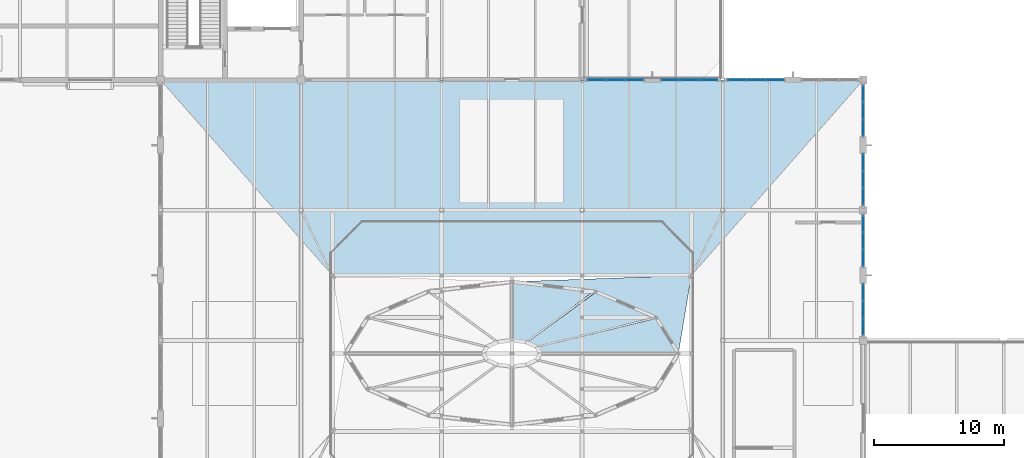
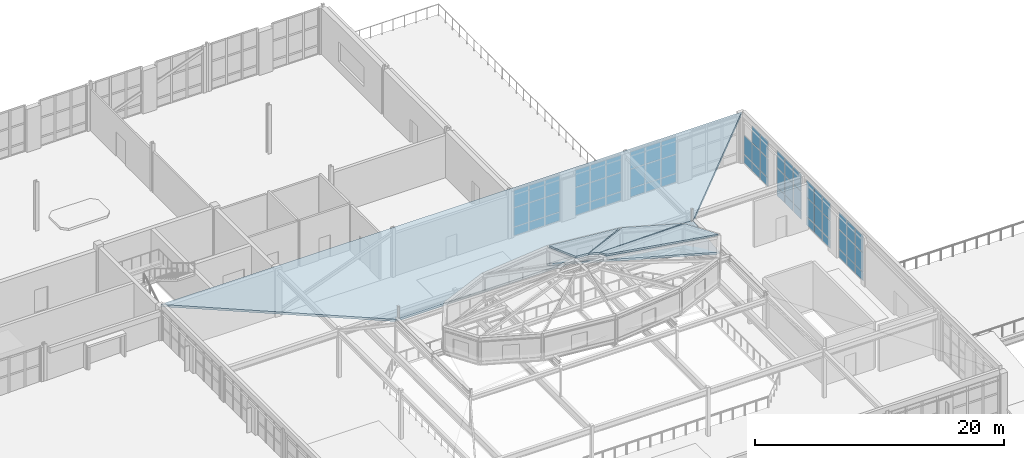
# One storey, part 62 of 86: 62 plates, 5 slabs, 7 elements without a shape of their own.
"""IFC4 building model written with IfcOpenShell, lengths in metres."""

from ifc_helpers import new_model, si_unit, direction, frame, origin, origin_2d, place, context, subcontext, project, spatial, polyline, rectangle, outline, extrude, material, layer, layer_set, type_object, element, aggregate, save


model = new_model("IFC4")

# Units and contexts
model_context = context("Model", 3, precision=1e-05, world=origin(), true_north=direction((0.0, 1.0)))
body_context = subcontext(model_context, "Body", "Model", "MODEL_VIEW")
ifc_project = project(units=[si_unit("LENGTHUNIT", "METRE"), si_unit("AREAUNIT", "SQUARE_METRE"), si_unit("VOLUMEUNIT", "CUBIC_METRE"), si_unit("PLANEANGLEUNIT", "RADIAN"), si_unit("MASSUNIT", "GRAM", prefix="KILO")], contexts=[model_context])

# Site, building, storey
site_placement = place(None, origin())
site = spatial("IfcSite", under=ifc_project, at=site_placement, CompositionType="ELEMENT")
building_placement = place(site_placement, origin())
building = spatial("IfcBuilding", under=site, at=building_placement, Name="Tasgan Crest Museum", CompositionType="ELEMENT")
storey_placement = place(building_placement, frame((0.0, 0.0, 24.0)))
storey = spatial("IfcBuildingStorey", under=building, at=storey_placement, Name="L04", CompositionType="ELEMENT", Elevation=24.0)

# Curtain wall, plates
ifc_material_1 = material(Name="Triple-Glazed Aluminium Curtain Wall", Category="aluminium")
ifc_layer_1 = layer(ifc_material_1, 0.179931640625, Name="CW-DRUM-X-48")
ifc_layer_set_1 = layer_set([ifc_layer_1], Name="Triple-Glazed Aluminium Curtain Wall")
curtain_wall_type_1 = type_object("IfcCurtainWallType", Name="CW-DRUM-X-48", PredefinedType="NOTDEFINED", material=ifc_layer_set_1)
curtain_wall_1_placement = place(storey_placement, origin())
curtain_wall_1 = element("IfcCurtainWall", 1, at=curtain_wall_1_placement, inside=storey, type_object=curtain_wall_type_1, Name="Curtain wall L04 156", PredefinedType="NOTDEFINED")
ifc_material_2 = material(Name="Insulated Spandrel Glass", Category="glass")
ifc_layer_2 = layer(ifc_material_2, 0.052001953125, Name="CW-PANEL-SPANDREL")
ifc_layer_set_2 = layer_set([ifc_layer_2], Name="Insulated Spandrel Glass")
plate_type_1 = type_object("IfcPlateType", Name="CW-PANEL-SPANDREL", PredefinedType="CURTAIN_PANEL", material=ifc_layer_set_2)
plate_1_placement = place(storey_placement, frame((101.208251953125, 82.0, 0.06005859375), z_axis=(0.0, 0.0, 1.0), x_axis=(-1.0, 0.0, 0.0)))
plate_1 = element("IfcPlate", 2, at=plate_1_placement, type_object=plate_type_1, Name="CW03 panel 1.1", PredefinedType="CURTAIN_PANEL", context=body_context, shape_type="SweptSolid", body=[
    extrude(rectangle(XDim=1.373291015625, YDim=0.028076171875, at=origin_2d()), origin(), (0.0, 0.0, 1.0), 0.81005859375),
])
plate_2_placement = place(storey_placement, frame((99.760009765625, 82.0, 0.06005859375), z_axis=(0.0, 0.0, 1.0), x_axis=(-1.0, 0.0, 0.0)))
plate_2 = element("IfcPlate", 3, at=plate_2_placement, type_object=plate_type_1, Name="CW03 panel 2.1", PredefinedType="CURTAIN_PANEL", context=body_context, shape_type="SweptSolid", body=[
    extrude(rectangle(XDim=1.4033203125, YDim=0.028076171875, at=origin_2d()), origin(), (0.0, 0.0, 1.0), 0.81005859375),
])
plate_3_placement = place(storey_placement, frame((98.311767578125, 82.0, 0.06005859375), z_axis=(0.0, 0.0, 1.0), x_axis=(-1.0, 0.0, 0.0)))
plate_3 = element("IfcPlate", 4, at=plate_3_placement, type_object=plate_type_1, Name="CW03 panel 3.1", PredefinedType="CURTAIN_PANEL", context=body_context, shape_type="SweptSolid", body=[
    extrude(rectangle(XDim=1.373291015625, YDim=0.028076171875, at=origin_2d()), origin(), (0.0, 0.0, 1.0), 0.81005859375),
])

curtain_wall_2_placement = place(storey_placement, origin())
curtain_wall_2 = element("IfcCurtainWall", 5, at=curtain_wall_2_placement, inside=storey, type_object=curtain_wall_type_1, Name="Curtain wall L04 157", PredefinedType="NOTDEFINED")
plate_4_placement = place(storey_placement, frame((96.08837890625, 82.0, 0.06005859375), z_axis=(0.0, 0.0, 1.0), x_axis=(-1.0, 0.0, 0.0)))
plate_4 = element("IfcPlate", 6, at=plate_4_placement, type_object=plate_type_1, Name="CW03 panel 1.1", PredefinedType="CURTAIN_PANEL", context=body_context, shape_type="SweptSolid", body=[
    extrude(rectangle(XDim=1.373291015625, YDim=0.028076171875, at=origin_2d()), origin(), (0.0, 0.0, 1.0), 0.81005859375),
])
plate_5_placement = place(storey_placement, frame((94.639892578125, 82.0, 0.06005859375), z_axis=(0.0, 0.0, 1.0), x_axis=(-1.0, 0.0, 0.0)))
plate_5 = element("IfcPlate", 7, at=plate_5_placement, type_object=plate_type_1, Name="CW03 panel 2.1", PredefinedType="CURTAIN_PANEL", context=body_context, shape_type="SweptSolid", body=[
    extrude(rectangle(XDim=1.4033203125, YDim=0.028076171875, at=origin_2d()), origin(), (0.0, 0.0, 1.0), 0.81005859375),
])
plate_6_placement = place(storey_placement, frame((93.191650390625, 82.0, 0.06005859375), z_axis=(0.0, 0.0, 1.0), x_axis=(-1.0, 0.0, 0.0)))
plate_6 = element("IfcPlate", 8, at=plate_6_placement, type_object=plate_type_1, Name="CW03 panel 3.1", PredefinedType="CURTAIN_PANEL", context=body_context, shape_type="SweptSolid", body=[
    extrude(rectangle(XDim=1.373291015625, YDim=0.028076171875, at=origin_2d()), origin(), (0.0, 0.0, 1.0), 0.81005859375),
])

curtain_wall_3_placement = place(storey_placement, origin())
curtain_wall_3 = element("IfcCurtainWall", 9, at=curtain_wall_3_placement, inside=storey, type_object=curtain_wall_type_1, Name="Curtain wall L04 158", PredefinedType="NOTDEFINED")
plate_7_placement = place(storey_placement, frame((90.408447265625, 82.0, 0.06005859375), z_axis=(0.0, 0.0, 1.0), x_axis=(-1.0, 0.0, 0.0)))
plate_7 = element("IfcPlate", 10, at=plate_7_placement, type_object=plate_type_1, Name="CW03 panel 1.1", PredefinedType="CURTAIN_PANEL", context=body_context, shape_type="SweptSolid", body=[
    extrude(rectangle(XDim=1.373291015625, YDim=0.028076171875, at=origin_2d()), origin(), (0.0, 0.0, 1.0), 0.81005859375),
])
plate_8_placement = place(storey_placement, frame((88.9599609375, 82.0, 0.06005859375), z_axis=(0.0, 0.0, 1.0), x_axis=(-1.0, 0.0, 0.0)))
plate_8 = element("IfcPlate", 11, at=plate_8_placement, type_object=plate_type_1, Name="CW03 panel 2.1", PredefinedType="CURTAIN_PANEL", context=body_context, shape_type="SweptSolid", body=[
    extrude(rectangle(XDim=1.4033203125, YDim=0.028076171875, at=origin_2d()), origin(), (0.0, 0.0, 1.0), 0.81005859375),
])
plate_9_placement = place(storey_placement, frame((87.51171875, 82.0, 0.06005859375), z_axis=(0.0, 0.0, 1.0), x_axis=(-1.0, 0.0, 0.0)))
plate_9 = element("IfcPlate", 12, at=plate_9_placement, type_object=plate_type_1, Name="CW03 panel 3.1", PredefinedType="CURTAIN_PANEL", context=body_context, shape_type="SweptSolid", body=[
    extrude(rectangle(XDim=1.373291015625, YDim=0.028076171875, at=origin_2d()), origin(), (0.0, 0.0, 1.0), 0.81005859375),
])

ifc_material_3 = material(Name="Triple-Glazed Aluminium Curtain Wall", Category="aluminium")
ifc_layer_3 = layer(ifc_material_3, 0.179931640625, Name="CW-DRUM-Y10-48")
ifc_layer_set_3 = layer_set([ifc_layer_3], Name="Triple-Glazed Aluminium Curtain Wall")
curtain_wall_type_2 = type_object("IfcCurtainWallType", Name="CW-DRUM-Y10-48", PredefinedType="NOTDEFINED", material=ifc_layer_set_3)
curtain_wall_4_placement = place(storey_placement, origin())
curtain_wall_4 = element("IfcCurtainWall", 13, at=curtain_wall_4_placement, inside=storey, type_object=curtain_wall_type_2, Name="Curtain wall L04 197", PredefinedType="NOTDEFINED")
plate_10_placement = place(storey_placement, frame((108.0, 63.044921875, 0.06005859375), z_axis=(0.0, 0.0, 1.0), x_axis=(0.0, 1.0, 0.0)))
plate_10 = element("IfcPlate", 14, at=plate_10_placement, type_object=plate_type_1, Name="CW04 panel 1.1", PredefinedType="CURTAIN_PANEL", context=body_context, shape_type="SweptSolid", body=[
    extrude(rectangle(XDim=1.239990234375, YDim=0.028076171875, at=origin_2d()), origin(), (0.0, 0.0, 1.0), 0.81005859375),
])
plate_11_placement = place(storey_placement, frame((108.0, 64.360107421875, 0.06005859375), z_axis=(0.0, 0.0, 1.0), x_axis=(0.0, 1.0, 0.0)))
plate_11 = element("IfcPlate", 15, at=plate_11_placement, type_object=plate_type_1, Name="CW04 panel 2.1", PredefinedType="CURTAIN_PANEL", context=body_context, shape_type="SweptSolid", body=[
    extrude(rectangle(XDim=1.27001953125, YDim=0.028076171875, at=origin_2d()), origin(), (0.0, 0.0, 1.0), 0.81005859375),
])
plate_12_placement = place(storey_placement, frame((108.0, 65.675048828125, 0.06005859375), z_axis=(0.0, 0.0, 1.0), x_axis=(0.0, 1.0, 0.0)))
plate_12 = element("IfcPlate", 16, at=plate_12_placement, type_object=plate_type_1, Name="CW04 panel 3.1", PredefinedType="CURTAIN_PANEL", context=body_context, shape_type="SweptSolid", body=[
    extrude(rectangle(XDim=1.239990234375, YDim=0.028076171875, at=origin_2d()), origin(), (0.0, 0.0, 1.0), 0.81005859375),
])

curtain_wall_5_placement = place(storey_placement, origin())
curtain_wall_5 = element("IfcCurtainWall", 17, at=curtain_wall_5_placement, inside=storey, type_object=curtain_wall_type_2, Name="Curtain wall L04 198", PredefinedType="NOTDEFINED")
plate_13_placement = place(storey_placement, frame((108.0, 68.324951171875, 0.06005859375), z_axis=(0.0, 0.0, 1.0), x_axis=(0.0, 1.0, 0.0)))
plate_13 = element("IfcPlate", 18, at=plate_13_placement, type_object=plate_type_1, Name="CW04 panel 1.1", PredefinedType="CURTAIN_PANEL", context=body_context, shape_type="SweptSolid", body=[
    extrude(rectangle(XDim=1.239990234375, YDim=0.028076171875, at=origin_2d()), origin(), (0.0, 0.0, 1.0), 0.81005859375),
])
plate_14_placement = place(storey_placement, frame((108.0, 69.639892578125, 0.06005859375), z_axis=(0.0, 0.0, 1.0), x_axis=(0.0, 1.0, 0.0)))
plate_14 = element("IfcPlate", 19, at=plate_14_placement, type_object=plate_type_1, Name="CW04 panel 2.1", PredefinedType="CURTAIN_PANEL", context=body_context, shape_type="SweptSolid", body=[
    extrude(rectangle(XDim=1.27001953125, YDim=0.028076171875, at=origin_2d()), origin(), (0.0, 0.0, 1.0), 0.81005859375),
])
plate_15_placement = place(storey_placement, frame((108.0, 70.955078125, 0.06005859375), z_axis=(0.0, 0.0, 1.0), x_axis=(0.0, 1.0, 0.0)))
plate_15 = element("IfcPlate", 20, at=plate_15_placement, type_object=plate_type_1, Name="CW04 panel 3.1", PredefinedType="CURTAIN_PANEL", context=body_context, shape_type="SweptSolid", body=[
    extrude(rectangle(XDim=1.239990234375, YDim=0.028076171875, at=origin_2d()), origin(), (0.0, 0.0, 1.0), 0.81005859375),
])

curtain_wall_6_placement = place(storey_placement, origin())
curtain_wall_6 = element("IfcCurtainWall", 21, at=curtain_wall_6_placement, inside=storey, type_object=curtain_wall_type_2, Name="Curtain wall L04 199", PredefinedType="NOTDEFINED")
plate_16_placement = place(storey_placement, frame((108.0, 73.044921875, 0.06005859375), z_axis=(0.0, 0.0, 1.0), x_axis=(0.0, 1.0, 0.0)))
plate_16 = element("IfcPlate", 22, at=plate_16_placement, type_object=plate_type_1, Name="CW04 panel 1.1", PredefinedType="CURTAIN_PANEL", context=body_context, shape_type="SweptSolid", body=[
    extrude(rectangle(XDim=1.239990234375, YDim=0.028076171875, at=origin_2d()), origin(), (0.0, 0.0, 1.0), 0.81005859375),
])
plate_17_placement = place(storey_placement, frame((108.0, 74.360107421875, 0.06005859375), z_axis=(0.0, 0.0, 1.0), x_axis=(0.0, 1.0, 0.0)))
plate_17 = element("IfcPlate", 23, at=plate_17_placement, type_object=plate_type_1, Name="CW04 panel 2.1", PredefinedType="CURTAIN_PANEL", context=body_context, shape_type="SweptSolid", body=[
    extrude(rectangle(XDim=1.27001953125, YDim=0.028076171875, at=origin_2d()), origin(), (0.0, 0.0, 1.0), 0.81005859375),
])
plate_18_placement = place(storey_placement, frame((108.0, 75.675048828125, 0.06005859375), z_axis=(0.0, 0.0, 1.0), x_axis=(0.0, 1.0, 0.0)))
plate_18 = element("IfcPlate", 24, at=plate_18_placement, type_object=plate_type_1, Name="CW04 panel 3.1", PredefinedType="CURTAIN_PANEL", context=body_context, shape_type="SweptSolid", body=[
    extrude(rectangle(XDim=1.239990234375, YDim=0.028076171875, at=origin_2d()), origin(), (0.0, 0.0, 1.0), 0.81005859375),
])

curtain_wall_7_placement = place(storey_placement, origin())
curtain_wall_7 = element("IfcCurtainWall", 25, at=curtain_wall_7_placement, inside=storey, type_object=curtain_wall_type_2, Name="Curtain wall L04 200", PredefinedType="NOTDEFINED")
plate_19_placement = place(storey_placement, frame((108.0, 78.324951171875, 0.06005859375), z_axis=(0.0, 0.0, 1.0), x_axis=(0.0, 1.0, 0.0)))
plate_19 = element("IfcPlate", 26, at=plate_19_placement, type_object=plate_type_1, Name="CW04 panel 1.1", PredefinedType="CURTAIN_PANEL", context=body_context, shape_type="SweptSolid", body=[
    extrude(rectangle(XDim=1.239990234375, YDim=0.028076171875, at=origin_2d()), origin(), (0.0, 0.0, 1.0), 0.81005859375),
])
plate_20_placement = place(storey_placement, frame((108.0, 79.639892578125, 0.06005859375), z_axis=(0.0, 0.0, 1.0), x_axis=(0.0, 1.0, 0.0)))
plate_20 = element("IfcPlate", 27, at=plate_20_placement, type_object=plate_type_1, Name="CW04 panel 2.1", PredefinedType="CURTAIN_PANEL", context=body_context, shape_type="SweptSolid", body=[
    extrude(rectangle(XDim=1.27001953125, YDim=0.028076171875, at=origin_2d()), origin(), (0.0, 0.0, 1.0), 0.81005859375),
])
plate_21_placement = place(storey_placement, frame((108.0, 80.955078125, 0.06005859375), z_axis=(0.0, 0.0, 1.0), x_axis=(0.0, 1.0, 0.0)))
plate_21 = element("IfcPlate", 28, at=plate_21_placement, type_object=plate_type_1, Name="CW04 panel 3.1", PredefinedType="CURTAIN_PANEL", context=body_context, shape_type="SweptSolid", body=[
    extrude(rectangle(XDim=1.239990234375, YDim=0.028076171875, at=origin_2d()), origin(), (0.0, 0.0, 1.0), 0.81005859375),
])

# Plate
ifc_material_4 = material(Name="Low-E Triple Glazing", Category="glass")
ifc_layer_4 = layer(ifc_material_4, 0.0439453125, Name="CW-PANEL-TRIPLE")
ifc_layer_set_4 = layer_set([ifc_layer_4], Name="Low-E Triple Glazing")
plate_type_2 = type_object("IfcPlateType", Name="CW-PANEL-TRIPLE", PredefinedType="CURTAIN_PANEL", material=ifc_layer_set_4)
plate_22_placement = place(storey_placement, frame((101.208251953125, 82.0, 0.93017578125), z_axis=(0.0, 0.0, 1.0), x_axis=(-1.0, 0.0, 0.0)))
plate_22 = element("IfcPlate", 29, at=plate_22_placement, type_object=plate_type_2, Name="CW03 panel 1.2", PredefinedType="CURTAIN_PANEL", context=body_context, shape_type="SweptSolid", body=[
    extrude(rectangle(XDim=1.373291015625, YDim=0.028076171875, at=origin_2d()), origin(), (0.0, 0.0, 1.0), 1.840087890625),
])

plate_23_placement = place(storey_placement, frame((101.208251953125, 82.0, 2.830078125), z_axis=(0.0, 0.0, 1.0), x_axis=(-1.0, 0.0, 0.0)))
plate_23 = element("IfcPlate", 30, at=plate_23_placement, type_object=plate_type_2, Name="CW03 panel 1.3", PredefinedType="CURTAIN_PANEL", context=body_context, shape_type="SweptSolid", body=[
    extrude(rectangle(XDim=1.373291015625, YDim=0.028076171875, at=origin_2d()), origin(), (0.0, 0.0, 1.0), 1.669921875),
])

plate_24_placement = place(storey_placement, frame((99.760009765625, 82.0, 0.93017578125), z_axis=(0.0, 0.0, 1.0), x_axis=(-1.0, 0.0, 0.0)))
plate_24 = element("IfcPlate", 31, at=plate_24_placement, type_object=plate_type_2, Name="CW03 panel 2.2", PredefinedType="CURTAIN_PANEL", context=body_context, shape_type="SweptSolid", body=[
    extrude(rectangle(XDim=1.4033203125, YDim=0.028076171875, at=origin_2d()), origin(), (0.0, 0.0, 1.0), 1.840087890625),
])

plate_25_placement = place(storey_placement, frame((99.760009765625, 82.0, 2.830078125), z_axis=(0.0, 0.0, 1.0), x_axis=(-1.0, 0.0, 0.0)))
plate_25 = element("IfcPlate", 32, at=plate_25_placement, type_object=plate_type_2, Name="CW03 panel 2.3", PredefinedType="CURTAIN_PANEL", context=body_context, shape_type="SweptSolid", body=[
    extrude(rectangle(XDim=1.4033203125, YDim=0.028076171875, at=origin_2d()), origin(), (0.0, 0.0, 1.0), 1.669921875),
])

plate_26_placement = place(storey_placement, frame((98.311767578125, 82.0, 0.93017578125), z_axis=(0.0, 0.0, 1.0), x_axis=(-1.0, 0.0, 0.0)))
plate_26 = element("IfcPlate", 33, at=plate_26_placement, type_object=plate_type_2, Name="CW03 panel 3.2", PredefinedType="CURTAIN_PANEL", context=body_context, shape_type="SweptSolid", body=[
    extrude(rectangle(XDim=1.373291015625, YDim=0.028076171875, at=origin_2d()), origin(), (0.0, 0.0, 1.0), 1.840087890625),
])

plate_27_placement = place(storey_placement, frame((98.311767578125, 82.0, 2.830078125), z_axis=(0.0, 0.0, 1.0), x_axis=(-1.0, 0.0, 0.0)))
plate_27 = element("IfcPlate", 34, at=plate_27_placement, type_object=plate_type_2, Name="CW03 panel 3.3", PredefinedType="CURTAIN_PANEL", context=body_context, shape_type="SweptSolid", body=[
    extrude(rectangle(XDim=1.373291015625, YDim=0.028076171875, at=origin_2d()), origin(), (0.0, 0.0, 1.0), 1.669921875),
])

aggregate(curtain_wall_1, [plate_1, plate_22, plate_23, plate_2, plate_24, plate_25, plate_3, plate_26, plate_27])

plate_28_placement = place(storey_placement, frame((96.08837890625, 82.0, 0.93017578125), z_axis=(0.0, 0.0, 1.0), x_axis=(-1.0, 0.0, 0.0)))
plate_28 = element("IfcPlate", 35, at=plate_28_placement, type_object=plate_type_2, Name="CW03 panel 1.2", PredefinedType="CURTAIN_PANEL", context=body_context, shape_type="SweptSolid", body=[
    extrude(rectangle(XDim=1.373291015625, YDim=0.028076171875, at=origin_2d()), origin(), (0.0, 0.0, 1.0), 1.840087890625),
])

plate_29_placement = place(storey_placement, frame((96.08837890625, 82.0, 2.830078125), z_axis=(0.0, 0.0, 1.0), x_axis=(-1.0, 0.0, 0.0)))
plate_29 = element("IfcPlate", 36, at=plate_29_placement, type_object=plate_type_2, Name="CW03 panel 1.3", PredefinedType="CURTAIN_PANEL", context=body_context, shape_type="SweptSolid", body=[
    extrude(rectangle(XDim=1.373291015625, YDim=0.028076171875, at=origin_2d()), origin(), (0.0, 0.0, 1.0), 1.669921875),
])

plate_30_placement = place(storey_placement, frame((94.639892578125, 82.0, 0.93017578125), z_axis=(0.0, 0.0, 1.0), x_axis=(-1.0, 0.0, 0.0)))
plate_30 = element("IfcPlate", 37, at=plate_30_placement, type_object=plate_type_2, Name="CW03 panel 2.2", PredefinedType="CURTAIN_PANEL", context=body_context, shape_type="SweptSolid", body=[
    extrude(rectangle(XDim=1.4033203125, YDim=0.028076171875, at=origin_2d()), origin(), (0.0, 0.0, 1.0), 1.840087890625),
])

plate_31_placement = place(storey_placement, frame((94.639892578125, 82.0, 2.830078125), z_axis=(0.0, 0.0, 1.0), x_axis=(-1.0, 0.0, 0.0)))
plate_31 = element("IfcPlate", 38, at=plate_31_placement, type_object=plate_type_2, Name="CW03 panel 2.3", PredefinedType="CURTAIN_PANEL", context=body_context, shape_type="SweptSolid", body=[
    extrude(rectangle(XDim=1.4033203125, YDim=0.028076171875, at=origin_2d()), origin(), (0.0, 0.0, 1.0), 1.669921875),
])

plate_32_placement = place(storey_placement, frame((93.191650390625, 82.0, 0.93017578125), z_axis=(0.0, 0.0, 1.0), x_axis=(-1.0, 0.0, 0.0)))
plate_32 = element("IfcPlate", 39, at=plate_32_placement, type_object=plate_type_2, Name="CW03 panel 3.2", PredefinedType="CURTAIN_PANEL", context=body_context, shape_type="SweptSolid", body=[
    extrude(rectangle(XDim=1.373291015625, YDim=0.028076171875, at=origin_2d()), origin(), (0.0, 0.0, 1.0), 1.840087890625),
])

plate_33_placement = place(storey_placement, frame((93.191650390625, 82.0, 2.830078125), z_axis=(0.0, 0.0, 1.0), x_axis=(-1.0, 0.0, 0.0)))
plate_33 = element("IfcPlate", 40, at=plate_33_placement, type_object=plate_type_2, Name="CW03 panel 3.3", PredefinedType="CURTAIN_PANEL", context=body_context, shape_type="SweptSolid", body=[
    extrude(rectangle(XDim=1.373291015625, YDim=0.028076171875, at=origin_2d()), origin(), (0.0, 0.0, 1.0), 1.669921875),
])

aggregate(curtain_wall_2, [plate_4, plate_28, plate_29, plate_5, plate_30, plate_31, plate_6, plate_32, plate_33])

plate_34_placement = place(storey_placement, frame((90.408447265625, 82.0, 0.93017578125), z_axis=(0.0, 0.0, 1.0), x_axis=(-1.0, 0.0, 0.0)))
plate_34 = element("IfcPlate", 41, at=plate_34_placement, type_object=plate_type_2, Name="CW03 panel 1.2", PredefinedType="CURTAIN_PANEL", context=body_context, shape_type="SweptSolid", body=[
    extrude(rectangle(XDim=1.373291015625, YDim=0.028076171875, at=origin_2d()), origin(), (0.0, 0.0, 1.0), 1.840087890625),
])

plate_35_placement = place(storey_placement, frame((90.408447265625, 82.0, 2.830078125), z_axis=(0.0, 0.0, 1.0), x_axis=(-1.0, 0.0, 0.0)))
plate_35 = element("IfcPlate", 42, at=plate_35_placement, type_object=plate_type_2, Name="CW03 panel 1.3", PredefinedType="CURTAIN_PANEL", context=body_context, shape_type="SweptSolid", body=[
    extrude(rectangle(XDim=1.373291015625, YDim=0.028076171875, at=origin_2d()), origin(), (0.0, 0.0, 1.0), 1.669921875),
])

plate_36_placement = place(storey_placement, frame((88.9599609375, 82.0, 0.93017578125), z_axis=(0.0, 0.0, 1.0), x_axis=(-1.0, 0.0, 0.0)))
plate_36 = element("IfcPlate", 43, at=plate_36_placement, type_object=plate_type_2, Name="CW03 panel 2.2", PredefinedType="CURTAIN_PANEL", context=body_context, shape_type="SweptSolid", body=[
    extrude(rectangle(XDim=1.4033203125, YDim=0.028076171875, at=origin_2d()), origin(), (0.0, 0.0, 1.0), 1.840087890625),
])

plate_37_placement = place(storey_placement, frame((88.9599609375, 82.0, 2.830078125), z_axis=(0.0, 0.0, 1.0), x_axis=(-1.0, 0.0, 0.0)))
plate_37 = element("IfcPlate", 44, at=plate_37_placement, type_object=plate_type_2, Name="CW03 panel 2.3", PredefinedType="CURTAIN_PANEL", context=body_context, shape_type="SweptSolid", body=[
    extrude(rectangle(XDim=1.4033203125, YDim=0.028076171875, at=origin_2d()), origin(), (0.0, 0.0, 1.0), 1.669921875),
])

plate_38_placement = place(storey_placement, frame((87.51171875, 82.0, 0.93017578125), z_axis=(0.0, 0.0, 1.0), x_axis=(-1.0, 0.0, 0.0)))
plate_38 = element("IfcPlate", 45, at=plate_38_placement, type_object=plate_type_2, Name="CW03 panel 3.2", PredefinedType="CURTAIN_PANEL", context=body_context, shape_type="SweptSolid", body=[
    extrude(rectangle(XDim=1.373291015625, YDim=0.028076171875, at=origin_2d()), origin(), (0.0, 0.0, 1.0), 1.840087890625),
])

plate_39_placement = place(storey_placement, frame((87.51171875, 82.0, 2.830078125), z_axis=(0.0, 0.0, 1.0), x_axis=(-1.0, 0.0, 0.0)))
plate_39 = element("IfcPlate", 46, at=plate_39_placement, type_object=plate_type_2, Name="CW03 panel 3.3", PredefinedType="CURTAIN_PANEL", context=body_context, shape_type="SweptSolid", body=[
    extrude(rectangle(XDim=1.373291015625, YDim=0.028076171875, at=origin_2d()), origin(), (0.0, 0.0, 1.0), 1.669921875),
])

aggregate(curtain_wall_3, [plate_7, plate_34, plate_35, plate_8, plate_36, plate_37, plate_9, plate_38, plate_39])

plate_40_placement = place(storey_placement, frame((108.0, 63.044921875, 0.93017578125), z_axis=(0.0, 0.0, 1.0), x_axis=(0.0, 1.0, 0.0)))
plate_40 = element("IfcPlate", 47, at=plate_40_placement, type_object=plate_type_2, Name="CW04 panel 1.2", PredefinedType="CURTAIN_PANEL", context=body_context, shape_type="SweptSolid", body=[
    extrude(rectangle(XDim=1.239990234375, YDim=0.028076171875, at=origin_2d()), origin(), (0.0, 0.0, 1.0), 1.840087890625),
])

plate_41_placement = place(storey_placement, frame((108.0, 63.044921875, 2.830078125), z_axis=(0.0, 0.0, 1.0), x_axis=(0.0, 1.0, 0.0)))
plate_41 = element("IfcPlate", 48, at=plate_41_placement, type_object=plate_type_2, Name="CW04 panel 1.3", PredefinedType="CURTAIN_PANEL", context=body_context, shape_type="SweptSolid", body=[
    extrude(rectangle(XDim=1.239990234375, YDim=0.028076171875, at=origin_2d()), origin(), (0.0, 0.0, 1.0), 1.669921875),
])

plate_42_placement = place(storey_placement, frame((108.0, 64.360107421875, 0.93017578125), z_axis=(0.0, 0.0, 1.0), x_axis=(0.0, 1.0, 0.0)))
plate_42 = element("IfcPlate", 49, at=plate_42_placement, type_object=plate_type_2, Name="CW04 panel 2.2", PredefinedType="CURTAIN_PANEL", context=body_context, shape_type="SweptSolid", body=[
    extrude(rectangle(XDim=1.27001953125, YDim=0.028076171875, at=origin_2d()), origin(), (0.0, 0.0, 1.0), 1.840087890625),
])

plate_43_placement = place(storey_placement, frame((108.0, 64.360107421875, 2.830078125), z_axis=(0.0, 0.0, 1.0), x_axis=(0.0, 1.0, 0.0)))
plate_43 = element("IfcPlate", 50, at=plate_43_placement, type_object=plate_type_2, Name="CW04 panel 2.3", PredefinedType="CURTAIN_PANEL", context=body_context, shape_type="SweptSolid", body=[
    extrude(rectangle(XDim=1.27001953125, YDim=0.028076171875, at=origin_2d()), origin(), (0.0, 0.0, 1.0), 1.669921875),
])

plate_44_placement = place(storey_placement, frame((108.0, 65.675048828125, 0.93017578125), z_axis=(0.0, 0.0, 1.0), x_axis=(0.0, 1.0, 0.0)))
plate_44 = element("IfcPlate", 51, at=plate_44_placement, type_object=plate_type_2, Name="CW04 panel 3.2", PredefinedType="CURTAIN_PANEL", context=body_context, shape_type="SweptSolid", body=[
    extrude(rectangle(XDim=1.239990234375, YDim=0.028076171875, at=origin_2d()), origin(), (0.0, 0.0, 1.0), 1.840087890625),
])

plate_45_placement = place(storey_placement, frame((108.0, 65.675048828125, 2.830078125), z_axis=(0.0, 0.0, 1.0), x_axis=(0.0, 1.0, 0.0)))
plate_45 = element("IfcPlate", 52, at=plate_45_placement, type_object=plate_type_2, Name="CW04 panel 3.3", PredefinedType="CURTAIN_PANEL", context=body_context, shape_type="SweptSolid", body=[
    extrude(rectangle(XDim=1.239990234375, YDim=0.028076171875, at=origin_2d()), origin(), (0.0, 0.0, 1.0), 1.669921875),
])

aggregate(curtain_wall_4, [plate_10, plate_40, plate_41, plate_11, plate_42, plate_43, plate_12, plate_44, plate_45])

plate_46_placement = place(storey_placement, frame((108.0, 68.324951171875, 0.93017578125), z_axis=(0.0, 0.0, 1.0), x_axis=(0.0, 1.0, 0.0)))
plate_46 = element("IfcPlate", 53, at=plate_46_placement, type_object=plate_type_2, Name="CW04 panel 1.2", PredefinedType="CURTAIN_PANEL", context=body_context, shape_type="SweptSolid", body=[
    extrude(rectangle(XDim=1.239990234375, YDim=0.028076171875, at=origin_2d()), origin(), (0.0, 0.0, 1.0), 1.840087890625),
])

plate_47_placement = place(storey_placement, frame((108.0, 68.324951171875, 2.830078125), z_axis=(0.0, 0.0, 1.0), x_axis=(0.0, 1.0, 0.0)))
plate_47 = element("IfcPlate", 54, at=plate_47_placement, type_object=plate_type_2, Name="CW04 panel 1.3", PredefinedType="CURTAIN_PANEL", context=body_context, shape_type="SweptSolid", body=[
    extrude(rectangle(XDim=1.239990234375, YDim=0.028076171875, at=origin_2d()), origin(), (0.0, 0.0, 1.0), 1.669921875),
])

plate_48_placement = place(storey_placement, frame((108.0, 69.639892578125, 0.93017578125), z_axis=(0.0, 0.0, 1.0), x_axis=(0.0, 1.0, 0.0)))
plate_48 = element("IfcPlate", 55, at=plate_48_placement, type_object=plate_type_2, Name="CW04 panel 2.2", PredefinedType="CURTAIN_PANEL", context=body_context, shape_type="SweptSolid", body=[
    extrude(rectangle(XDim=1.27001953125, YDim=0.028076171875, at=origin_2d()), origin(), (0.0, 0.0, 1.0), 1.840087890625),
])

plate_49_placement = place(storey_placement, frame((108.0, 69.639892578125, 2.830078125), z_axis=(0.0, 0.0, 1.0), x_axis=(0.0, 1.0, 0.0)))
plate_49 = element("IfcPlate", 56, at=plate_49_placement, type_object=plate_type_2, Name="CW04 panel 2.3", PredefinedType="CURTAIN_PANEL", context=body_context, shape_type="SweptSolid", body=[
    extrude(rectangle(XDim=1.27001953125, YDim=0.028076171875, at=origin_2d()), origin(), (0.0, 0.0, 1.0), 1.669921875),
])

plate_50_placement = place(storey_placement, frame((108.0, 70.955078125, 0.93017578125), z_axis=(0.0, 0.0, 1.0), x_axis=(0.0, 1.0, 0.0)))
plate_50 = element("IfcPlate", 57, at=plate_50_placement, type_object=plate_type_2, Name="CW04 panel 3.2", PredefinedType="CURTAIN_PANEL", context=body_context, shape_type="SweptSolid", body=[
    extrude(rectangle(XDim=1.239990234375, YDim=0.028076171875, at=origin_2d()), origin(), (0.0, 0.0, 1.0), 1.840087890625),
])

plate_51_placement = place(storey_placement, frame((108.0, 70.955078125, 2.830078125), z_axis=(0.0, 0.0, 1.0), x_axis=(0.0, 1.0, 0.0)))
plate_51 = element("IfcPlate", 58, at=plate_51_placement, type_object=plate_type_2, Name="CW04 panel 3.3", PredefinedType="CURTAIN_PANEL", context=body_context, shape_type="SweptSolid", body=[
    extrude(rectangle(XDim=1.239990234375, YDim=0.028076171875, at=origin_2d()), origin(), (0.0, 0.0, 1.0), 1.669921875),
])

aggregate(curtain_wall_5, [plate_13, plate_46, plate_47, plate_14, plate_48, plate_49, plate_15, plate_50, plate_51])

plate_52_placement = place(storey_placement, frame((108.0, 73.044921875, 0.93017578125), z_axis=(0.0, 0.0, 1.0), x_axis=(0.0, 1.0, 0.0)))
plate_52 = element("IfcPlate", 59, at=plate_52_placement, type_object=plate_type_2, Name="CW04 panel 1.2", PredefinedType="CURTAIN_PANEL", context=body_context, shape_type="SweptSolid", body=[
    extrude(rectangle(XDim=1.239990234375, YDim=0.028076171875, at=origin_2d()), origin(), (0.0, 0.0, 1.0), 1.840087890625),
])

plate_53_placement = place(storey_placement, frame((108.0, 73.044921875, 2.830078125), z_axis=(0.0, 0.0, 1.0), x_axis=(0.0, 1.0, 0.0)))
plate_53 = element("IfcPlate", 60, at=plate_53_placement, type_object=plate_type_2, Name="CW04 panel 1.3", PredefinedType="CURTAIN_PANEL", context=body_context, shape_type="SweptSolid", body=[
    extrude(rectangle(XDim=1.239990234375, YDim=0.028076171875, at=origin_2d()), origin(), (0.0, 0.0, 1.0), 1.669921875),
])

plate_54_placement = place(storey_placement, frame((108.0, 74.360107421875, 0.93017578125), z_axis=(0.0, 0.0, 1.0), x_axis=(0.0, 1.0, 0.0)))
plate_54 = element("IfcPlate", 61, at=plate_54_placement, type_object=plate_type_2, Name="CW04 panel 2.2", PredefinedType="CURTAIN_PANEL", context=body_context, shape_type="SweptSolid", body=[
    extrude(rectangle(XDim=1.27001953125, YDim=0.028076171875, at=origin_2d()), origin(), (0.0, 0.0, 1.0), 1.840087890625),
])

plate_55_placement = place(storey_placement, frame((108.0, 74.360107421875, 2.830078125), z_axis=(0.0, 0.0, 1.0), x_axis=(0.0, 1.0, 0.0)))
plate_55 = element("IfcPlate", 62, at=plate_55_placement, type_object=plate_type_2, Name="CW04 panel 2.3", PredefinedType="CURTAIN_PANEL", context=body_context, shape_type="SweptSolid", body=[
    extrude(rectangle(XDim=1.27001953125, YDim=0.028076171875, at=origin_2d()), origin(), (0.0, 0.0, 1.0), 1.669921875),
])

plate_56_placement = place(storey_placement, frame((108.0, 75.675048828125, 0.93017578125), z_axis=(0.0, 0.0, 1.0), x_axis=(0.0, 1.0, 0.0)))
plate_56 = element("IfcPlate", 63, at=plate_56_placement, type_object=plate_type_2, Name="CW04 panel 3.2", PredefinedType="CURTAIN_PANEL", context=body_context, shape_type="SweptSolid", body=[
    extrude(rectangle(XDim=1.239990234375, YDim=0.028076171875, at=origin_2d()), origin(), (0.0, 0.0, 1.0), 1.840087890625),
])

plate_57_placement = place(storey_placement, frame((108.0, 75.675048828125, 2.830078125), z_axis=(0.0, 0.0, 1.0), x_axis=(0.0, 1.0, 0.0)))
plate_57 = element("IfcPlate", 64, at=plate_57_placement, type_object=plate_type_2, Name="CW04 panel 3.3", PredefinedType="CURTAIN_PANEL", context=body_context, shape_type="SweptSolid", body=[
    extrude(rectangle(XDim=1.239990234375, YDim=0.028076171875, at=origin_2d()), origin(), (0.0, 0.0, 1.0), 1.669921875),
])

aggregate(curtain_wall_6, [plate_16, plate_52, plate_53, plate_17, plate_54, plate_55, plate_18, plate_56, plate_57])

plate_58_placement = place(storey_placement, frame((108.0, 78.324951171875, 0.93017578125), z_axis=(0.0, 0.0, 1.0), x_axis=(0.0, 1.0, 0.0)))
plate_58 = element("IfcPlate", 65, at=plate_58_placement, type_object=plate_type_2, Name="CW04 panel 1.2", PredefinedType="CURTAIN_PANEL", context=body_context, shape_type="SweptSolid", body=[
    extrude(rectangle(XDim=1.239990234375, YDim=0.028076171875, at=origin_2d()), origin(), (0.0, 0.0, 1.0), 1.840087890625),
])

plate_59_placement = place(storey_placement, frame((108.0, 78.324951171875, 2.830078125), z_axis=(0.0, 0.0, 1.0), x_axis=(0.0, 1.0, 0.0)))
plate_59 = element("IfcPlate", 66, at=plate_59_placement, type_object=plate_type_2, Name="CW04 panel 1.3", PredefinedType="CURTAIN_PANEL", context=body_context, shape_type="SweptSolid", body=[
    extrude(rectangle(XDim=1.239990234375, YDim=0.028076171875, at=origin_2d()), origin(), (0.0, 0.0, 1.0), 1.669921875),
])

plate_60_placement = place(storey_placement, frame((108.0, 79.639892578125, 0.93017578125), z_axis=(0.0, 0.0, 1.0), x_axis=(0.0, 1.0, 0.0)))
plate_60 = element("IfcPlate", 67, at=plate_60_placement, type_object=plate_type_2, Name="CW04 panel 2.2", PredefinedType="CURTAIN_PANEL", context=body_context, shape_type="SweptSolid", body=[
    extrude(rectangle(XDim=1.27001953125, YDim=0.028076171875, at=origin_2d()), origin(), (0.0, 0.0, 1.0), 1.840087890625),
])

plate_61_placement = place(storey_placement, frame((108.0, 79.639892578125, 2.830078125), z_axis=(0.0, 0.0, 1.0), x_axis=(0.0, 1.0, 0.0)))
plate_61 = element("IfcPlate", 68, at=plate_61_placement, type_object=plate_type_2, Name="CW04 panel 2.3", PredefinedType="CURTAIN_PANEL", context=body_context, shape_type="SweptSolid", body=[
    extrude(rectangle(XDim=1.27001953125, YDim=0.028076171875, at=origin_2d()), origin(), (0.0, 0.0, 1.0), 1.669921875),
])

plate_62_placement = place(storey_placement, frame((108.0, 80.955078125, 0.93017578125), z_axis=(0.0, 0.0, 1.0), x_axis=(0.0, 1.0, 0.0)))
plate_62 = element("IfcPlate", 69, at=plate_62_placement, type_object=plate_type_2, Name="CW04 panel 3.2", PredefinedType="CURTAIN_PANEL", context=body_context, shape_type="SweptSolid", body=[
    extrude(rectangle(XDim=1.239990234375, YDim=0.028076171875, at=origin_2d()), origin(), (0.0, 0.0, 1.0), 1.840087890625),
])

aggregate(curtain_wall_7, [plate_19, plate_58, plate_59, plate_20, plate_60, plate_61, plate_21, plate_62])

# Slabs
ifc_material_5 = material(Name="Concrete C35/45", Category="concrete")
ifc_layer_5 = layer(ifc_material_5, 0.199951171875, Name="SL-ROOF-200")
ifc_layer_set_5 = layer_set([ifc_layer_5], Name="Concrete C35/45")
slab_type = type_object("IfcSlabType", Name="SL-ROOF-200", PredefinedType="ROOF", material=ifc_layer_set_5)
slab_1_placement = place(storey_placement, frame((67.199951171875, 67.0, 7.800048828125), z_axis=(0.0, 0.196116135138, 0.980580675691), x_axis=(1.0, 0.0, 0.0)))
element("IfcSlab", 70, at=slab_1_placement, inside=storey, type_object=slab_type, Name="Winter-garden lantern north sloped roof", PredefinedType="ROOF", context=body_context, shape_type="SweptSolid", body=[
    extrude(outline(polyline([(0.0, 0.0), (27.60009765625, 0.0), (40.800048828125, 15.297058540778353), (-13.199951171875, 15.297058540778353), (0.0, 0.0)])), origin(), (0.0, 0.0, -1.0), 0.199951171875),
])
slab_2_placement = place(storey_placement, frame((94.800048828125, 67.0, 7.860107421875), z_axis=(0.058159606852, 0.135353783188, 0.989088880489), x_axis=(-0.99732179719, -0.03613471987, 0.063588637896)))
element("IfcSlab", 71, at=slab_2_placement, inside=storey, type_object=slab_type, Name="Winter-garden lantern NE corner sloped roof", PredefinedType="ROOF", context=body_context, shape_type="SweptSolid", body=[
    extrude(outline(polyline([(0.0, 0.0), (13.837107408066439, 9.71445146547012e-17), (1.270080665964397, 6.013409088501824), (0.0, 0.0)])), origin(), (0.0, 0.0, -1.0), 0.179931640625),
])
slab_3_placement = place(storey_placement, frame((93.765625, 61.054931640625, 10.47998046875), z_axis=(0.160897659909, 0.100334065822, 0.981857942001), x_axis=(-0.529110938201, 0.848552658966, -6.137904e-06)))
element("IfcSlab", 72, at=slab_3_placement, inside=storey, type_object=slab_type, Name="Rotunda conical roof facet 1", PredefinedType="ROOF", context=body_context, shape_type="SweptSolid", body=[
    extrude(outline(polyline([(0.0, 0.0), (3.1113387476436523, 4.440892098500626e-16), (6.060451125211184, 9.070911004453126), (5.500484290903571, 9.070792164879377), (0.0, 0.0)])), origin(), (0.0, 0.0, -1.0), 0.159912109375),
])
slab_4_placement = place(storey_placement, frame((91.991455078125, 63.790283203125, 10.47998046875), z_axis=(0.114778377141, 0.267119916568, 0.956803466922), x_axis=(-0.918775519221, 0.394780376002, 1.946014e-06)))
element("IfcSlab", 73, at=slab_4_placement, inside=storey, type_object=slab_type, Name="Rotunda conical roof facet 2", PredefinedType="ROOF", context=body_context, shape_type="SweptSolid", body=[
    extrude(outline(polyline([(0.0, 0.0), (4.895430382578482, -2.220446049250313e-16), (8.258737677345653, 5.915874343535431), (7.377580046110328, 5.9159130086425655), (0.0, 0.0)])), origin(), (0.0, 0.0, -1.0), 0.159912109375),
])
slab_5_placement = place(storey_placement, frame((87.27197265625, 65.77783203125, 10.47998046875), z_axis=(0.040991528453, 0.356035223436, 0.933573036386), x_axis=(-0.993435162359, 0.114396582714, -7.270094e-06)))
element("IfcSlab", 74, at=slab_5_placement, inside=storey, type_object=slab_type, Name="Rotunda conical roof facet 3", PredefinedType="ROOF", context=body_context, shape_type="SweptSolid", body=[
    extrude(outline(polyline([(0.0, 0.0), (6.184646140776927, 0.0), (5.7743637340582366, 4.799313925192023), (4.661116198638667, 4.799165883158938), (0.0, 0.0)])), origin(), (0.0, 0.0, -1.0), 0.159912109375),
])

save(model, "model.ifc")
